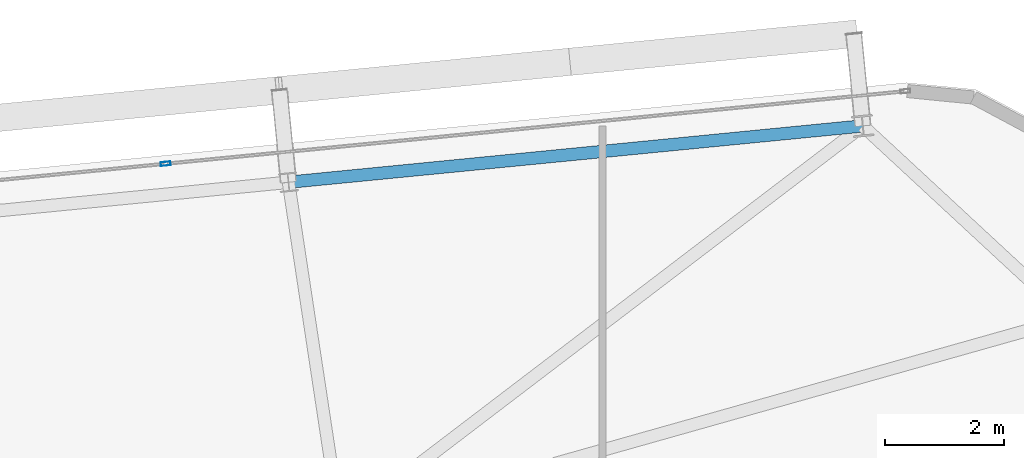
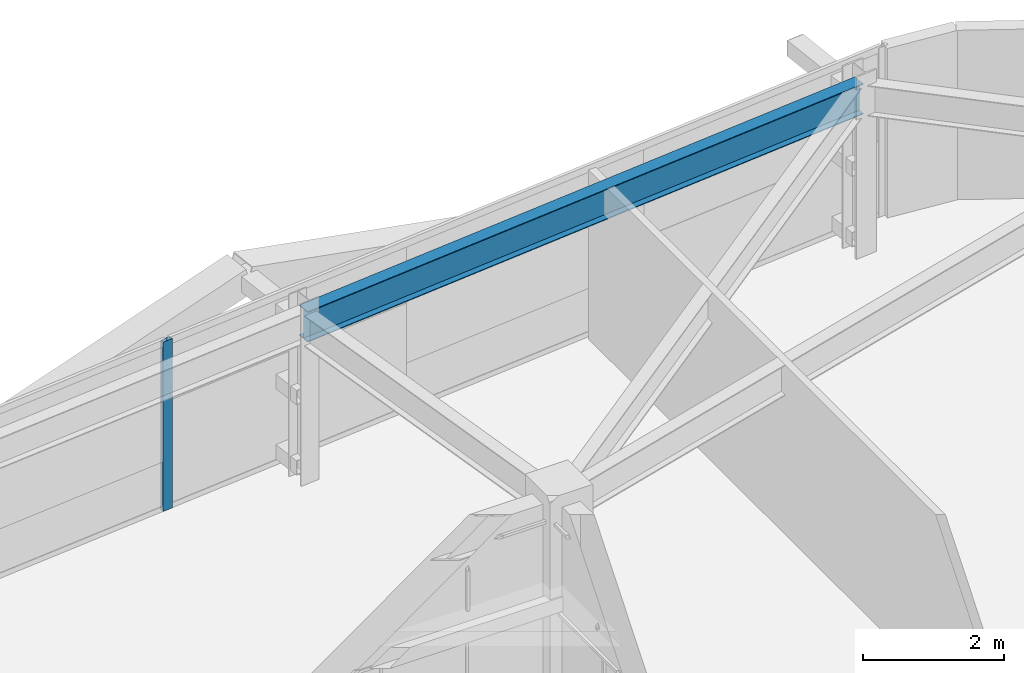
# One storey, part 29 of 47: 1 beam, 1 member, 1 element without a shape of its own.
"""IFC4 building model written with IfcOpenShell, lengths in metres."""

from ifc_helpers import new_model, si_unit, direction, frame, origin, origin_2d, place, context, subcontext, project, spatial, hollow_rectangle, i_section, extrude, source, transform, mapped, material, layer, layer_set, material_profile, profile_set, type_object, element, aggregate, save


model = new_model("IFC4")

# Units and contexts
model_context = context("Model", 3, precision=1e-05, world=origin(), true_north=direction((0.0, 1.0)))
body_context = subcontext(model_context, "Body", "Model", "MODEL_VIEW")
ifc_project = project(units=[si_unit("LENGTHUNIT", "METRE"), si_unit("AREAUNIT", "SQUARE_METRE"), si_unit("VOLUMEUNIT", "CUBIC_METRE"), si_unit("PLANEANGLEUNIT", "RADIAN"), si_unit("MASSUNIT", "GRAM", prefix="KILO")], contexts=[model_context])

# Site, building, storey
site_placement = place(None, origin())
site = spatial("IfcSite", under=ifc_project, at=site_placement, CompositionType="ELEMENT")
building_placement = place(site_placement, origin())
building = spatial("IfcBuilding", under=site, at=building_placement, Name="Taldren Reach Tower", CompositionType="ELEMENT")
storey_placement = place(building_placement, frame((0.0, 0.0, 90.300048828125)))
storey = spatial("IfcBuildingStorey", under=building, at=storey_placement, Name="L27", CompositionType="ELEMENT", Elevation=90.300048828125)

# Beam
ifc_material_1 = material(Name="Steel Gr 350 (350PLUS)", Category="steel")
ifc_material_profile_1 = material_profile(ifc_material_1, i_section(OverallWidth=0.208984375, OverallDepth=0.528076171875, WebThickness=0.009521484375, FlangeThickness=0.01318359375, at=origin_2d()), Name="530UB82.0")
ifc_profile_set_1 = profile_set([ifc_material_profile_1], Name="Steel Gr 350 (350PLUS)")
beam_type = type_object("IfcBeamType", Name="SP-UB530B", PredefinedType="SPANDREL", material=ifc_profile_set_1)
shared_shape_1 = source(origin(), body_context, "Body", "SweptSolid", [
    extrude(i_section(OverallWidth=0.208984375, OverallDepth=0.528076171875, WebThickness=0.009521484375, FlangeThickness=0.01318359375, at=origin_2d()), origin(), (0.0, 0.0, 1.0), 9.679931640625),
])
beam_placement = place(storey_placement, frame((59.765869140625, 38.679931640625, 2.666015625), z_axis=(-0.995227612658, -0.097580730699, 0.0), x_axis=(0.097580730699, -0.995227612658, 0.0)))
element("IfcBeam", 1, at=beam_placement, inside=storey, type_object=beam_type, Name="Perimeter spandrel B2 N6-N5 L27", PredefinedType="SPANDREL", context=body_context, shape_type="MappedRepresentation", body=[
    mapped(shared_shape_1, transform((0.0, 0.0, 0.0), scale=1.0)),
])

# Curtain wall, member
ifc_material_2 = material(Name="Aluminium and Low-E Glass Unitised System", Category="aluminium")
ifc_layer = layer(ifc_material_2, 0.159912109375)
ifc_layer_set = layer_set([ifc_layer], Name="Aluminium and Low-E Glass Unitised System")
curtain_wall_type = type_object("IfcCurtainWallType", Name="CW-SYS-3", PredefinedType="NOTDEFINED", material=ifc_layer_set)
curtain_wall_placement = place(storey_placement, origin())
curtain_wall = element("IfcCurtainWall", 2, at=curtain_wall_placement, inside=storey, type_object=curtain_wall_type, Name="Unitised curtain wall CW-L27-N", PredefinedType="NOTDEFINED")
ifc_material_3 = material(Name="Anodised Aluminium 6063-T6", Category="aluminium")
ifc_material_profile_2 = material_profile(ifc_material_3, hollow_rectangle(XDim=0.06494140625, YDim=0.1650390625, WallThickness=0.00390625, at=origin_2d()), Name="ALU-165x65x4RHS")
ifc_profile_set_2 = profile_set([ifc_material_profile_2], Name="Anodised Aluminium 6063-T6")
member_type = type_object("IfcMemberType", Name="CW-MUL-165", PredefinedType="MULLION", material=ifc_profile_set_2)
shared_shape_2 = source(origin(), body_context, "Body", "SweptSolid", [
    extrude(hollow_rectangle(XDim=0.06494140625, YDim=0.1650390625, WallThickness=0.00390625, at=origin_2d()), origin(), (0.0, 0.0, 1.0), 2.929931640625),
])
member_placement = place(storey_placement, frame((48.072021484375, 38.045654296875, 0.0), z_axis=(0.0, 0.0, 1.0), x_axis=(0.097582999046, -0.995227390247, 0.0)))
member = element("IfcMember", 3, at=member_placement, type_object=member_type, Name="CW-3 mullion 2", PredefinedType="MULLION", context=body_context, shape_type="MappedRepresentation", body=[
    mapped(shared_shape_2, transform((0.0, 0.0, 0.0), scale=1.0)),
])
aggregate(curtain_wall, [member])

save(model, "model.ifc")
